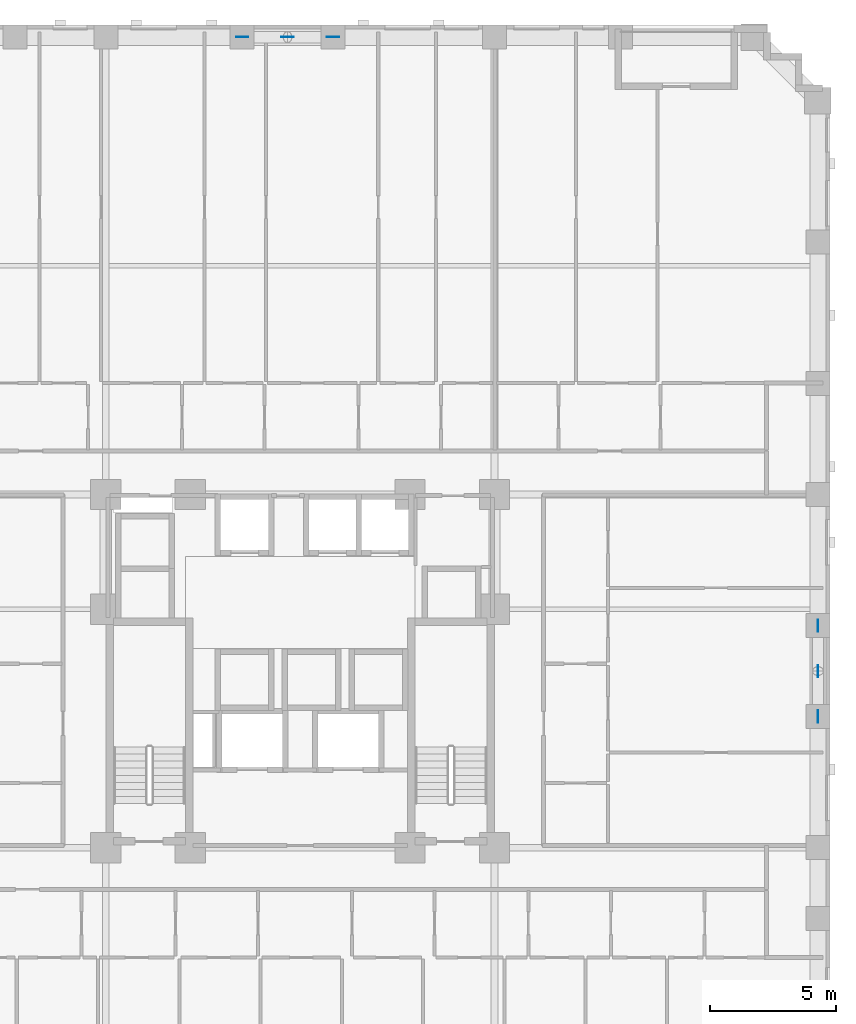
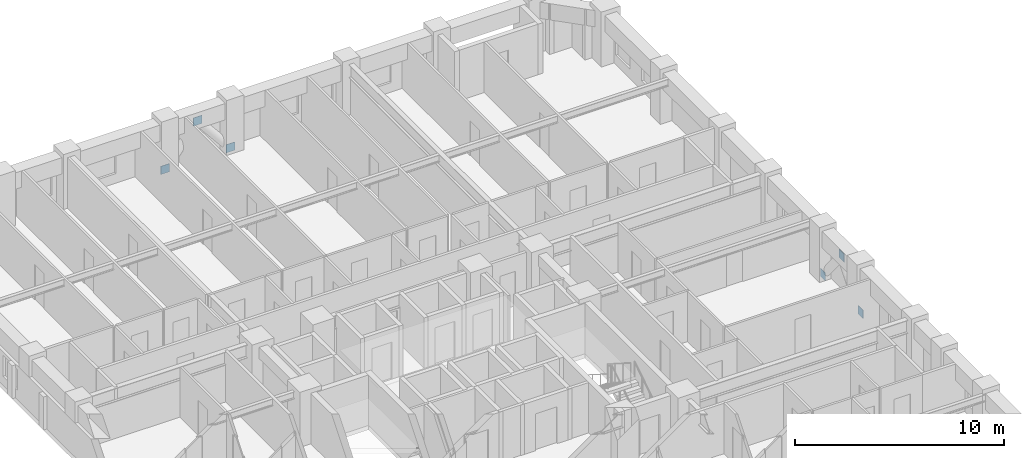
# One storey, part 11 of 14: 6 discrete accessories.
"""IFC4 building model written with IfcOpenShell, lengths in metres."""

from ifc_helpers import new_model, si_unit, derived_unit, direction, frame, origin, origin_2d, place, context, subcontext, project, spatial, rectangle, extrude, material, layer, layer_set, type_object, element, save


model = new_model("IFC4")

# Units and contexts
model_context = context("Model", 3, precision=1e-05, world=origin(), true_north=direction((0.0, 1.0)))
body_context = subcontext(model_context, "Body", "Model", "MODEL_VIEW")
ifc_project = project(units=[si_unit("LENGTHUNIT", "METRE"), si_unit("AREAUNIT", "SQUARE_METRE"), si_unit("VOLUMEUNIT", "CUBIC_METRE"), si_unit("PLANEANGLEUNIT", "RADIAN"), si_unit("MASSUNIT", "GRAM", prefix="KILO"), derived_unit("THERMALTRANSMITTANCEUNIT", [(si_unit("MASSUNIT", "GRAM", prefix="KILO"), 1), (si_unit("TIMEUNIT", "SECOND"), -3), (si_unit("THERMODYNAMICTEMPERATUREUNIT", "KELVIN"), -1)])], contexts=[model_context])

# Site, building, storey
site_placement = place(None, origin())
site = spatial("IfcSite", under=ifc_project, at=site_placement, CompositionType="ELEMENT")
building_placement = place(site_placement, origin())
building = spatial("IfcBuilding", under=site, at=building_placement, Name="Korrvale Station Residences", CompositionType="ELEMENT")
storey_placement = place(building_placement, frame((0.0, 0.0, 29.0)))
storey = spatial("IfcBuildingStorey", under=building, at=storey_placement, Name="L06", CompositionType="ELEMENT", Elevation=29.0)

# Discrete accessories
ifc_material = material(Name="Steel S355", Category="steel")
ifc_layer = layer(ifc_material, 0.02490234375, Name="Steel S355")
ifc_layer_set = layer_set([ifc_layer], Name="Steel S355")
discrete_accessory_type = type_object("IfcDiscreteAccessoryType", Name="ACC-GUSSET-25", PredefinedType="BRACKET", material=ifc_layer_set)
for number, where, z_axis, x_axis, name in (
    (1, (23.199951171875, 47.1201171875, -0.219970703125), (0.0, 0.0, 1.0), (1.0, 0.0, 0.0), "L06 N Brace End Gusset Connection A"),
    (2, (26.800048828125, 47.1201171875, -0.219970703125), (0.0, 0.0, 1.0), (1.0, 0.0, 0.0), "L06 N Brace End Gusset Connection B"),
    (3, (25.0, 47.1201171875, 1.969970703125), (0.0, 0.0, 1.0), (1.0, 0.0, 0.0), "L06 N Brace End Gusset Connection M"),
    (4, (46.02001953125, 20.199951171875, -0.219970703125), (0.0, 0.0, 1.0), (0.0, 1.0, 0.0), "L06 E Brace End Gusset Connection A"),
    (5, (46.02001953125, 23.800048828125, -0.219970703125), (0.0, 0.0, 1.0), (0.0, 1.0, 0.0), "L06 E Brace End Gusset Connection B"),
    (6, (46.02001953125, 22.0, 1.969970703125), (0.0, 0.0, 1.0), (0.0, 1.0, 0.0), "L06 E Brace End Gusset Connection M"),
):
    element("IfcDiscreteAccessory", number, at=place(storey_placement, frame(where, z_axis=z_axis, x_axis=x_axis)), inside=storey, type_object=discrete_accessory_type, Name=name, PredefinedType="BRACKET", context=body_context, shape_type="SweptSolid", body=[
        extrude(rectangle(XDim=0.47998046875, YDim=0.02490234375, at=origin_2d()), origin(), (0.0, 0.0, 1.0), 0.47998046875),
    ])

save(model, "model.ifc")
